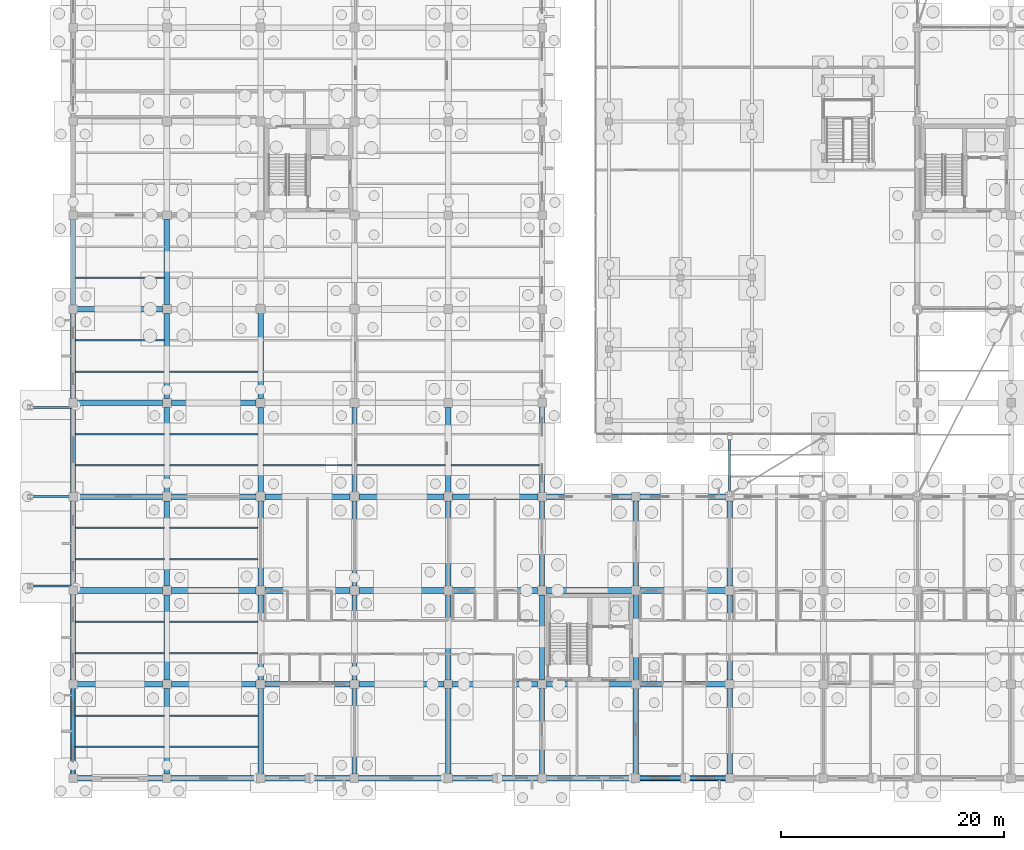
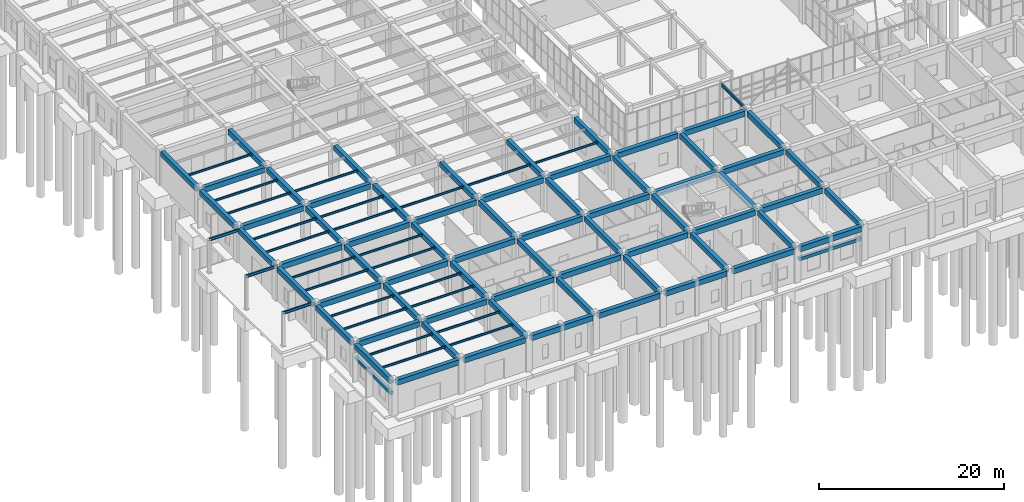
# One storey, part 48 of 192: 95 beams.
"""IFC4 building model written with IfcOpenShell, lengths in metres."""

from ifc_helpers import new_model, si_unit, direction, frame, origin, origin_2d, place, context, subcontext, project, spatial, rectangle, i_section, extrude, material, material_profile, profile_set, type_object, element, save


model = new_model("IFC4")

# Units and contexts
model_context = context("Model", 3, precision=1e-05, world=origin(), true_north=direction((0.0, 1.0)))
body_context = subcontext(model_context, "Body", "Model", "MODEL_VIEW")
ifc_project = project(units=[si_unit("LENGTHUNIT", "METRE"), si_unit("AREAUNIT", "SQUARE_METRE"), si_unit("VOLUMEUNIT", "CUBIC_METRE"), si_unit("PLANEANGLEUNIT", "RADIAN"), si_unit("MASSUNIT", "GRAM", prefix="KILO")], contexts=[model_context])

# Site, building, storey
site_placement = place(None, origin())
site = spatial("IfcSite", under=ifc_project, at=site_placement, CompositionType="ELEMENT")
building_placement = place(site_placement, origin())
building = spatial("IfcBuilding", under=site, at=building_placement, Name="Trelvath General Hospital", CompositionType="ELEMENT")
storey_placement = place(building_placement, origin())
storey = spatial("IfcBuildingStorey", under=building, at=storey_placement, Name="L00", CompositionType="ELEMENT", Elevation=0.0)

# Beams
ifc_material_1 = material(Name="Concrete C35/45", Category="concrete")
ifc_material_profile_1 = material_profile(ifc_material_1, rectangle(XDim=0.47998046875, YDim=0.679931640625, at=origin_2d()), Name="RCB480x680")
ifc_profile_set_1 = profile_set([ifc_material_profile_1], Name="Concrete C35/45")
beam_type_1 = type_object("IfcBeamType", Name="Beam RC480x680", PredefinedType="BEAM", material=ifc_profile_set_1)
beam_1_placement = place(storey_placement, frame((0.0, 0.375, 4.179931640625), z_axis=(0.0, 1.0, 0.0), x_axis=(-1.0, 0.0, 0.0)))
element("IfcBeam", 1, at=beam_1_placement, inside=storey, type_object=beam_type_1, Name="Grid Beam BY-000A", PredefinedType="BEAM", context=body_context, shape_type="SweptSolid", body=[
    extrude(rectangle(XDim=0.47998046875, YDim=0.679931640625, at=origin_2d()), origin(), (0.0, 0.0, 1.0), 7.64990234375),
])
beam_2_placement = place(storey_placement, frame((0.0, 8.77490234375, 4.179931640625), z_axis=(0.0, 1.0, 0.0), x_axis=(-1.0, 0.0, 0.0)))
element("IfcBeam", 2, at=beam_2_placement, inside=storey, type_object=beam_type_1, Name="Grid Beam BY-000B", PredefinedType="BEAM", context=body_context, shape_type="SweptSolid", body=[
    extrude(rectangle(XDim=0.47998046875, YDim=0.679931640625, at=origin_2d()), origin(), (0.0, 0.0, 1.0), 7.650146484375),
])
beam_3_placement = place(storey_placement, frame((0.0, 17.175048828125, 4.179931640625), z_axis=(0.0, 1.0, 0.0), x_axis=(-1.0, 0.0, 0.0)))
element("IfcBeam", 3, at=beam_3_placement, inside=storey, type_object=beam_type_1, Name="Grid Beam BY-000C", PredefinedType="BEAM", context=body_context, shape_type="SweptSolid", body=[
    extrude(rectangle(XDim=0.47998046875, YDim=0.679931640625, at=origin_2d()), origin(), (0.0, 0.0, 1.0), 7.64990234375),
])
beam_4_placement = place(storey_placement, frame((0.0, 25.574951171875, 4.179931640625), z_axis=(0.0, 1.0, 0.0), x_axis=(-1.0, 0.0, 0.0)))
element("IfcBeam", 4, at=beam_4_placement, inside=storey, type_object=beam_type_1, Name="Grid Beam BY-000D", PredefinedType="BEAM", context=body_context, shape_type="SweptSolid", body=[
    extrude(rectangle(XDim=0.47998046875, YDim=0.679931640625, at=origin_2d()), origin(), (0.0, 0.0, 1.0), 7.650146484375),
])
for number, where, z_axis, x_axis, name in (
    (5, (0.0, 33.97509765625, 4.179931640625), (0.0, 1.0, 0.0), (-1.0, 0.0, 0.0), "Grid Beam BY-000E"),
    (6, (0.0, 42.375, 4.179931640625), (0.0, 1.0, 0.0), (-1.0, 0.0, 0.0), "Grid Beam BY-000F"),
):
    element("IfcBeam", number, at=place(storey_placement, frame(where, z_axis=z_axis, x_axis=x_axis)), inside=storey, type_object=beam_type_1, Name=name, PredefinedType="BEAM", context=body_context, shape_type="SweptSolid", body=[
        extrude(rectangle(XDim=0.47998046875, YDim=0.679931640625, at=origin_2d()), origin(), (0.0, 0.0, 1.0), 7.64990234375),
    ])
beam_5_placement = place(storey_placement, frame((8.39990234375, 0.375, 4.179931640625), z_axis=(0.0, 1.0, 0.0), x_axis=(-1.0, 0.0, 0.0)))
element("IfcBeam", 7, at=beam_5_placement, inside=storey, type_object=beam_type_1, Name="Grid Beam BY-001A", PredefinedType="BEAM", context=body_context, shape_type="SweptSolid", body=[
    extrude(rectangle(XDim=0.47998046875, YDim=0.679931640625, at=origin_2d()), origin(), (0.0, 0.0, 1.0), 7.6298828125),
])
beam_6_placement = place(storey_placement, frame((8.39990234375, 8.794921875, 4.179931640625), z_axis=(0.0, 1.0, 0.0), x_axis=(-1.0, 0.0, 0.0)))
element("IfcBeam", 8, at=beam_6_placement, inside=storey, type_object=beam_type_1, Name="Grid Beam BY-001B", PredefinedType="BEAM", context=body_context, shape_type="SweptSolid", body=[
    extrude(rectangle(XDim=0.47998046875, YDim=0.679931640625, at=origin_2d()), origin(), (0.0, 0.0, 1.0), 7.610107421875),
])
beam_7_placement = place(storey_placement, frame((8.39990234375, 17.195068359375, 4.179931640625), z_axis=(0.0, 1.0, 0.0), x_axis=(-1.0, 0.0, 0.0)))
element("IfcBeam", 9, at=beam_7_placement, inside=storey, type_object=beam_type_1, Name="Grid Beam BY-001C", PredefinedType="BEAM", context=body_context, shape_type="SweptSolid", body=[
    extrude(rectangle(XDim=0.47998046875, YDim=0.679931640625, at=origin_2d()), origin(), (0.0, 0.0, 1.0), 7.60986328125),
])
beam_8_placement = place(storey_placement, frame((8.39990234375, 25.594970703125, 4.179931640625), z_axis=(0.0, 1.0, 0.0), x_axis=(-1.0, 0.0, 0.0)))
element("IfcBeam", 10, at=beam_8_placement, inside=storey, type_object=beam_type_1, Name="Grid Beam BY-001D", PredefinedType="BEAM", context=body_context, shape_type="SweptSolid", body=[
    extrude(rectangle(XDim=0.47998046875, YDim=0.679931640625, at=origin_2d()), origin(), (0.0, 0.0, 1.0), 7.610107421875),
])
for number, where, z_axis, x_axis, name in (
    (11, (8.39990234375, 33.9951171875, 4.179931640625), (0.0, 1.0, 0.0), (-1.0, 0.0, 0.0), "Grid Beam BY-001E"),
    (12, (8.39990234375, 42.39501953125, 4.179931640625), (0.0, 1.0, 0.0), (-1.0, 0.0, 0.0), "Grid Beam BY-001F"),
):
    element("IfcBeam", number, at=place(storey_placement, frame(where, z_axis=z_axis, x_axis=x_axis)), inside=storey, type_object=beam_type_1, Name=name, PredefinedType="BEAM", context=body_context, shape_type="SweptSolid", body=[
        extrude(rectangle(XDim=0.47998046875, YDim=0.679931640625, at=origin_2d()), origin(), (0.0, 0.0, 1.0), 7.60986328125),
    ])
beam_9_placement = place(storey_placement, frame((16.800048828125, 0.375, 4.179931640625), z_axis=(0.0, 1.0, 0.0), x_axis=(-1.0, 0.0, 0.0)))
element("IfcBeam", 13, at=beam_9_placement, inside=storey, type_object=beam_type_1, Name="Grid Beam BY-002A", PredefinedType="BEAM", context=body_context, shape_type="SweptSolid", body=[
    extrude(rectangle(XDim=0.47998046875, YDim=0.679931640625, at=origin_2d()), origin(), (0.0, 0.0, 1.0), 7.6298828125),
])
beam_10_placement = place(storey_placement, frame((16.800048828125, 8.794921875, 4.179931640625), z_axis=(0.0, 1.0, 0.0), x_axis=(-1.0, 0.0, 0.0)))
element("IfcBeam", 14, at=beam_10_placement, inside=storey, type_object=beam_type_1, Name="Grid Beam BY-002B", PredefinedType="BEAM", context=body_context, shape_type="SweptSolid", body=[
    extrude(rectangle(XDim=0.47998046875, YDim=0.679931640625, at=origin_2d()), origin(), (0.0, 0.0, 1.0), 7.610107421875),
])
beam_11_placement = place(storey_placement, frame((16.800048828125, 17.195068359375, 4.179931640625), z_axis=(0.0, 1.0, 0.0), x_axis=(-1.0, 0.0, 0.0)))
element("IfcBeam", 15, at=beam_11_placement, inside=storey, type_object=beam_type_1, Name="Grid Beam BY-002C", PredefinedType="BEAM", context=body_context, shape_type="SweptSolid", body=[
    extrude(rectangle(XDim=0.47998046875, YDim=0.679931640625, at=origin_2d()), origin(), (0.0, 0.0, 1.0), 7.60986328125),
])
beam_12_placement = place(storey_placement, frame((16.800048828125, 25.594970703125, 4.179931640625), z_axis=(0.0, 1.0, 0.0), x_axis=(-1.0, 0.0, 0.0)))
element("IfcBeam", 16, at=beam_12_placement, inside=storey, type_object=beam_type_1, Name="Grid Beam BY-002D", PredefinedType="BEAM", context=body_context, shape_type="SweptSolid", body=[
    extrude(rectangle(XDim=0.47998046875, YDim=0.679931640625, at=origin_2d()), origin(), (0.0, 0.0, 1.0), 7.610107421875),
])
beam_13_placement = place(storey_placement, frame((16.800048828125, 33.9951171875, 4.179931640625), z_axis=(0.0, 1.0, 0.0), x_axis=(-1.0, 0.0, 0.0)))
element("IfcBeam", 17, at=beam_13_placement, inside=storey, type_object=beam_type_1, Name="Grid Beam BY-002E", PredefinedType="BEAM", context=body_context, shape_type="SweptSolid", body=[
    extrude(rectangle(XDim=0.47998046875, YDim=0.679931640625, at=origin_2d()), origin(), (0.0, 0.0, 1.0), 7.60986328125),
])
beam_14_placement = place(storey_placement, frame((25.199951171875, 0.375, 4.179931640625), z_axis=(0.0, 1.0, 0.0), x_axis=(-1.0, 0.0, 0.0)))
element("IfcBeam", 18, at=beam_14_placement, inside=storey, type_object=beam_type_1, Name="Grid Beam BY-003A", PredefinedType="BEAM", context=body_context, shape_type="SweptSolid", body=[
    extrude(rectangle(XDim=0.47998046875, YDim=0.679931640625, at=origin_2d()), origin(), (0.0, 0.0, 1.0), 7.6298828125),
])
beam_15_placement = place(storey_placement, frame((25.199951171875, 8.794921875, 4.179931640625), z_axis=(0.0, 1.0, 0.0), x_axis=(-1.0, 0.0, 0.0)))
element("IfcBeam", 19, at=beam_15_placement, inside=storey, type_object=beam_type_1, Name="Grid Beam BY-003B", PredefinedType="BEAM", context=body_context, shape_type="SweptSolid", body=[
    extrude(rectangle(XDim=0.47998046875, YDim=0.679931640625, at=origin_2d()), origin(), (0.0, 0.0, 1.0), 7.610107421875),
])
beam_16_placement = place(storey_placement, frame((25.199951171875, 17.195068359375, 4.179931640625), z_axis=(0.0, 1.0, 0.0), x_axis=(-1.0, 0.0, 0.0)))
element("IfcBeam", 20, at=beam_16_placement, inside=storey, type_object=beam_type_1, Name="Grid Beam BY-003C", PredefinedType="BEAM", context=body_context, shape_type="SweptSolid", body=[
    extrude(rectangle(XDim=0.47998046875, YDim=0.679931640625, at=origin_2d()), origin(), (0.0, 0.0, 1.0), 7.60986328125),
])
beam_17_placement = place(storey_placement, frame((25.199951171875, 25.594970703125, 4.179931640625), z_axis=(0.0, 1.0, 0.0), x_axis=(-1.0, 0.0, 0.0)))
element("IfcBeam", 21, at=beam_17_placement, inside=storey, type_object=beam_type_1, Name="Grid Beam BY-003D", PredefinedType="BEAM", context=body_context, shape_type="SweptSolid", body=[
    extrude(rectangle(XDim=0.47998046875, YDim=0.679931640625, at=origin_2d()), origin(), (0.0, 0.0, 1.0), 7.610107421875),
])
beam_18_placement = place(storey_placement, frame((33.60009765625, 0.375, 4.179931640625), z_axis=(0.0, 1.0, 0.0), x_axis=(-1.0, 0.0, 0.0)))
element("IfcBeam", 22, at=beam_18_placement, inside=storey, type_object=beam_type_1, Name="Grid Beam BY-004A", PredefinedType="BEAM", context=body_context, shape_type="SweptSolid", body=[
    extrude(rectangle(XDim=0.47998046875, YDim=0.679931640625, at=origin_2d()), origin(), (0.0, 0.0, 1.0), 7.6298828125),
])
beam_19_placement = place(storey_placement, frame((33.60009765625, 8.794921875, 4.179931640625), z_axis=(0.0, 1.0, 0.0), x_axis=(-1.0, 0.0, 0.0)))
element("IfcBeam", 23, at=beam_19_placement, inside=storey, type_object=beam_type_1, Name="Grid Beam BY-004B", PredefinedType="BEAM", context=body_context, shape_type="SweptSolid", body=[
    extrude(rectangle(XDim=0.47998046875, YDim=0.679931640625, at=origin_2d()), origin(), (0.0, 0.0, 1.0), 7.610107421875),
])
beam_20_placement = place(storey_placement, frame((33.60009765625, 17.195068359375, 4.179931640625), z_axis=(0.0, 1.0, 0.0), x_axis=(-1.0, 0.0, 0.0)))
element("IfcBeam", 24, at=beam_20_placement, inside=storey, type_object=beam_type_1, Name="Grid Beam BY-004C", PredefinedType="BEAM", context=body_context, shape_type="SweptSolid", body=[
    extrude(rectangle(XDim=0.47998046875, YDim=0.679931640625, at=origin_2d()), origin(), (0.0, 0.0, 1.0), 7.60986328125),
])
beam_21_placement = place(storey_placement, frame((33.60009765625, 25.594970703125, 4.179931640625), z_axis=(0.0, 1.0, 0.0), x_axis=(-1.0, 0.0, 0.0)))
element("IfcBeam", 25, at=beam_21_placement, inside=storey, type_object=beam_type_1, Name="Grid Beam BY-004D", PredefinedType="BEAM", context=body_context, shape_type="SweptSolid", body=[
    extrude(rectangle(XDim=0.47998046875, YDim=0.679931640625, at=origin_2d()), origin(), (0.0, 0.0, 1.0), 7.610107421875),
])
beam_22_placement = place(storey_placement, frame((42.0, 0.375, 4.179931640625), z_axis=(0.0, 1.0, 0.0), x_axis=(-1.0, 0.0, 0.0)))
element("IfcBeam", 26, at=beam_22_placement, inside=storey, type_object=beam_type_1, Name="Grid Beam BY-005A", PredefinedType="BEAM", context=body_context, shape_type="SweptSolid", body=[
    extrude(rectangle(XDim=0.47998046875, YDim=0.679931640625, at=origin_2d()), origin(), (0.0, 0.0, 1.0), 7.6298828125),
])
beam_23_placement = place(storey_placement, frame((42.0, 8.794921875, 4.179931640625), z_axis=(0.0, 1.0, 0.0), x_axis=(-1.0, 0.0, 0.0)))
element("IfcBeam", 27, at=beam_23_placement, inside=storey, type_object=beam_type_1, Name="Grid Beam BY-005B", PredefinedType="BEAM", context=body_context, shape_type="SweptSolid", body=[
    extrude(rectangle(XDim=0.47998046875, YDim=0.679931640625, at=origin_2d()), origin(), (0.0, 0.0, 1.0), 7.610107421875),
])
beam_24_placement = place(storey_placement, frame((42.0, 17.195068359375, 4.179931640625), z_axis=(0.0, 1.0, 0.0), x_axis=(-1.0, 0.0, 0.0)))
element("IfcBeam", 28, at=beam_24_placement, inside=storey, type_object=beam_type_1, Name="Grid Beam BY-005C", PredefinedType="BEAM", context=body_context, shape_type="SweptSolid", body=[
    extrude(rectangle(XDim=0.47998046875, YDim=0.679931640625, at=origin_2d()), origin(), (0.0, 0.0, 1.0), 7.6298828125),
])
beam_25_placement = place(storey_placement, frame((42.0, 25.574951171875, 4.179931640625), z_axis=(0.0, 1.0, 0.0), x_axis=(-1.0, 0.0, 0.0)))
element("IfcBeam", 29, at=beam_25_placement, inside=storey, type_object=beam_type_1, Name="Grid Beam BY-005D", PredefinedType="BEAM", context=body_context, shape_type="SweptSolid", body=[
    extrude(rectangle(XDim=0.47998046875, YDim=0.679931640625, at=origin_2d()), origin(), (0.0, 0.0, 1.0), 7.650146484375),
])
beam_26_placement = place(storey_placement, frame((50.39990234375, 0.375, 4.179931640625), z_axis=(0.0, 1.0, 0.0), x_axis=(-1.0, 0.0, 0.0)))
element("IfcBeam", 30, at=beam_26_placement, inside=storey, type_object=beam_type_1, Name="Grid Beam BY-006A", PredefinedType="BEAM", context=body_context, shape_type="SweptSolid", body=[
    extrude(rectangle(XDim=0.47998046875, YDim=0.679931640625, at=origin_2d()), origin(), (0.0, 0.0, 1.0), 7.6298828125),
])
beam_27_placement = place(storey_placement, frame((50.39990234375, 8.794921875, 4.179931640625), z_axis=(0.0, 1.0, 0.0), x_axis=(-1.0, 0.0, 0.0)))
element("IfcBeam", 31, at=beam_27_placement, inside=storey, type_object=beam_type_1, Name="Grid Beam BY-006B", PredefinedType="BEAM", context=body_context, shape_type="SweptSolid", body=[
    extrude(rectangle(XDim=0.47998046875, YDim=0.679931640625, at=origin_2d()), origin(), (0.0, 0.0, 1.0), 7.610107421875),
])
for number, where, z_axis, x_axis, name in (
    (32, (50.39990234375, 17.195068359375, 4.179931640625), (0.0, 1.0, 0.0), (-1.0, 0.0, 0.0), "Grid Beam BY-006C"),
    (33, (58.800048828125, 0.375, 4.179931640625), (0.0, 1.0, 0.0), (-1.0, 0.0, 0.0), "Grid Beam BY-007A"),
):
    element("IfcBeam", number, at=place(storey_placement, frame(where, z_axis=z_axis, x_axis=x_axis)), inside=storey, type_object=beam_type_1, Name=name, PredefinedType="BEAM", context=body_context, shape_type="SweptSolid", body=[
        extrude(rectangle(XDim=0.47998046875, YDim=0.679931640625, at=origin_2d()), origin(), (0.0, 0.0, 1.0), 7.6298828125),
    ])
beam_28_placement = place(storey_placement, frame((58.800048828125, 8.794921875, 4.179931640625), z_axis=(0.0, 1.0, 0.0), x_axis=(-1.0, 0.0, 0.0)))
element("IfcBeam", 34, at=beam_28_placement, inside=storey, type_object=beam_type_1, Name="Grid Beam BY-007B", PredefinedType="BEAM", context=body_context, shape_type="SweptSolid", body=[
    extrude(rectangle(XDim=0.47998046875, YDim=0.679931640625, at=origin_2d()), origin(), (0.0, 0.0, 1.0), 7.610107421875),
])
beam_29_placement = place(storey_placement, frame((58.800048828125, 17.195068359375, 4.179931640625), z_axis=(0.0, 1.0, 0.0), x_axis=(-1.0, 0.0, 0.0)))
element("IfcBeam", 35, at=beam_29_placement, inside=storey, type_object=beam_type_1, Name="Grid Beam BY-007C", PredefinedType="BEAM", context=body_context, shape_type="SweptSolid", body=[
    extrude(rectangle(XDim=0.47998046875, YDim=0.679931640625, at=origin_2d()), origin(), (0.0, 0.0, 1.0), 7.6298828125),
])
ifc_material_2 = material(Name="Concrete C35/45", Category="concrete")
ifc_material_profile_2 = material_profile(ifc_material_2, rectangle(XDim=0.5, YDim=0.699951171875, at=origin_2d()), Name="RCB500x700")
ifc_profile_set_2 = profile_set([ifc_material_profile_2], Name="Concrete C35/45")
beam_type_2 = type_object("IfcBeamType", Name="Beam RC500x700", PredefinedType="BEAM", material=ifc_profile_set_2)
beam_30_placement = place(storey_placement, frame((0.375, 0.0, 4.169921875), z_axis=(1.0, 0.0, 0.0), x_axis=(0.0, 1.0, 0.0)))
element("IfcBeam", 36, at=beam_30_placement, inside=storey, type_object=beam_type_2, Name="Grid Beam BX-000A", PredefinedType="BEAM", context=body_context, shape_type="SweptSolid", body=[
    extrude(rectangle(XDim=0.5, YDim=0.699951171875, at=origin_2d()), origin(), (0.0, 0.0, 1.0), 7.64990234375),
])
for number, where, z_axis, x_axis, name in (
    (37, (0.375, 8.39990234375, 4.169921875), (1.0, 0.0, 0.0), (0.0, 1.0, 0.0), "Grid Beam BX-000B"),
    (38, (0.375, 16.800048828125, 4.169921875), (1.0, 0.0, 0.0), (0.0, 1.0, 0.0), "Grid Beam BX-000C"),
    (39, (0.375, 25.199951171875, 4.169921875), (1.0, 0.0, 0.0), (0.0, 1.0, 0.0), "Grid Beam BX-000D"),
    (40, (0.375, 33.60009765625, 4.169921875), (1.0, 0.0, 0.0), (0.0, 1.0, 0.0), "Grid Beam BX-000E"),
    (41, (0.375, 42.0, 4.169921875), (1.0, 0.0, 0.0), (0.0, 1.0, 0.0), "Grid Beam BX-000F"),
):
    element("IfcBeam", number, at=place(storey_placement, frame(where, z_axis=z_axis, x_axis=x_axis)), inside=storey, type_object=beam_type_2, Name=name, PredefinedType="BEAM", context=body_context, shape_type="SweptSolid", body=[
        extrude(rectangle(XDim=0.5, YDim=0.699951171875, at=origin_2d()), origin(), (0.0, 0.0, 1.0), 7.6298828125),
    ])
beam_31_placement = place(storey_placement, frame((8.77490234375, 0.0, 4.169921875), z_axis=(1.0, 0.0, 0.0), x_axis=(0.0, 1.0, 0.0)))
element("IfcBeam", 42, at=beam_31_placement, inside=storey, type_object=beam_type_2, Name="Grid Beam BX-001A", PredefinedType="BEAM", context=body_context, shape_type="SweptSolid", body=[
    extrude(rectangle(XDim=0.5, YDim=0.699951171875, at=origin_2d()), origin(), (0.0, 0.0, 1.0), 7.650146484375),
])
for number, where, z_axis, x_axis, name in (
    (43, (8.794921875, 8.39990234375, 4.169921875), (1.0, 0.0, 0.0), (0.0, 1.0, 0.0), "Grid Beam BX-001B"),
    (44, (8.794921875, 16.800048828125, 4.169921875), (1.0, 0.0, 0.0), (0.0, 1.0, 0.0), "Grid Beam BX-001C"),
    (45, (8.794921875, 25.199951171875, 4.169921875), (1.0, 0.0, 0.0), (0.0, 1.0, 0.0), "Grid Beam BX-001D"),
    (46, (8.794921875, 33.60009765625, 4.169921875), (1.0, 0.0, 0.0), (0.0, 1.0, 0.0), "Grid Beam BX-001E"),
):
    element("IfcBeam", number, at=place(storey_placement, frame(where, z_axis=z_axis, x_axis=x_axis)), inside=storey, type_object=beam_type_2, Name=name, PredefinedType="BEAM", context=body_context, shape_type="SweptSolid", body=[
        extrude(rectangle(XDim=0.5, YDim=0.699951171875, at=origin_2d()), origin(), (0.0, 0.0, 1.0), 7.610107421875),
    ])
beam_32_placement = place(storey_placement, frame((17.175048828125, 0.0, 4.169921875), z_axis=(1.0, 0.0, 0.0), x_axis=(0.0, 1.0, 0.0)))
element("IfcBeam", 47, at=beam_32_placement, inside=storey, type_object=beam_type_2, Name="Grid Beam BX-002A", PredefinedType="BEAM", context=body_context, shape_type="SweptSolid", body=[
    extrude(rectangle(XDim=0.5, YDim=0.699951171875, at=origin_2d()), origin(), (0.0, 0.0, 1.0), 7.64990234375),
])
for number, where, z_axis, x_axis, name in (
    (48, (17.195068359375, 8.39990234375, 4.169921875), (1.0, 0.0, 0.0), (0.0, 1.0, 0.0), "Grid Beam BX-002B"),
    (49, (17.195068359375, 16.800048828125, 4.169921875), (1.0, 0.0, 0.0), (0.0, 1.0, 0.0), "Grid Beam BX-002C"),
    (50, (17.195068359375, 25.199951171875, 4.169921875), (1.0, 0.0, 0.0), (0.0, 1.0, 0.0), "Grid Beam BX-002D"),
):
    element("IfcBeam", number, at=place(storey_placement, frame(where, z_axis=z_axis, x_axis=x_axis)), inside=storey, type_object=beam_type_2, Name=name, PredefinedType="BEAM", context=body_context, shape_type="SweptSolid", body=[
        extrude(rectangle(XDim=0.5, YDim=0.699951171875, at=origin_2d()), origin(), (0.0, 0.0, 1.0), 7.60986328125),
    ])
beam_33_placement = place(storey_placement, frame((25.574951171875, 0.0, 4.169921875), z_axis=(1.0, 0.0, 0.0), x_axis=(0.0, 1.0, 0.0)))
element("IfcBeam", 51, at=beam_33_placement, inside=storey, type_object=beam_type_2, Name="Grid Beam BX-003A", PredefinedType="BEAM", context=body_context, shape_type="SweptSolid", body=[
    extrude(rectangle(XDim=0.5, YDim=0.699951171875, at=origin_2d()), origin(), (0.0, 0.0, 1.0), 7.650146484375),
])
for number, where, z_axis, x_axis, name in (
    (52, (25.594970703125, 8.39990234375, 4.169921875), (1.0, 0.0, 0.0), (0.0, 1.0, 0.0), "Grid Beam BX-003B"),
    (53, (25.594970703125, 16.800048828125, 4.169921875), (1.0, 0.0, 0.0), (0.0, 1.0, 0.0), "Grid Beam BX-003C"),
    (54, (25.594970703125, 25.199951171875, 4.169921875), (1.0, 0.0, 0.0), (0.0, 1.0, 0.0), "Grid Beam BX-003D"),
):
    element("IfcBeam", number, at=place(storey_placement, frame(where, z_axis=z_axis, x_axis=x_axis)), inside=storey, type_object=beam_type_2, Name=name, PredefinedType="BEAM", context=body_context, shape_type="SweptSolid", body=[
        extrude(rectangle(XDim=0.5, YDim=0.699951171875, at=origin_2d()), origin(), (0.0, 0.0, 1.0), 7.610107421875),
    ])
beam_34_placement = place(storey_placement, frame((33.97509765625, 0.0, 4.169921875), z_axis=(1.0, 0.0, 0.0), x_axis=(0.0, 1.0, 0.0)))
element("IfcBeam", 55, at=beam_34_placement, inside=storey, type_object=beam_type_2, Name="Grid Beam BX-004A", PredefinedType="BEAM", context=body_context, shape_type="SweptSolid", body=[
    extrude(rectangle(XDim=0.5, YDim=0.699951171875, at=origin_2d()), origin(), (0.0, 0.0, 1.0), 7.64990234375),
])
for number, where, z_axis, x_axis, name in (
    (56, (33.9951171875, 8.39990234375, 4.169921875), (1.0, 0.0, 0.0), (0.0, 1.0, 0.0), "Grid Beam BX-004B"),
    (57, (33.9951171875, 16.800048828125, 4.169921875), (1.0, 0.0, 0.0), (0.0, 1.0, 0.0), "Grid Beam BX-004C"),
):
    element("IfcBeam", number, at=place(storey_placement, frame(where, z_axis=z_axis, x_axis=x_axis)), inside=storey, type_object=beam_type_2, Name=name, PredefinedType="BEAM", context=body_context, shape_type="SweptSolid", body=[
        extrude(rectangle(XDim=0.5, YDim=0.699951171875, at=origin_2d()), origin(), (0.0, 0.0, 1.0), 7.60986328125),
    ])
beam_35_placement = place(storey_placement, frame((33.9951171875, 25.199951171875, 4.169921875), z_axis=(1.0, 0.0, 0.0), x_axis=(0.0, 1.0, 0.0)))
element("IfcBeam", 58, at=beam_35_placement, inside=storey, type_object=beam_type_2, Name="Grid Beam BX-004D", PredefinedType="BEAM", context=body_context, shape_type="SweptSolid", body=[
    extrude(rectangle(XDim=0.5, YDim=0.699951171875, at=origin_2d()), origin(), (0.0, 0.0, 1.0), 7.6298828125),
])
beam_36_placement = place(storey_placement, frame((42.375, 0.0, 4.169921875), z_axis=(1.0, 0.0, 0.0), x_axis=(0.0, 1.0, 0.0)))
element("IfcBeam", 59, at=beam_36_placement, inside=storey, type_object=beam_type_2, Name="Grid Beam BX-005A", PredefinedType="BEAM", context=body_context, shape_type="SweptSolid", body=[
    extrude(rectangle(XDim=0.5, YDim=0.699951171875, at=origin_2d()), origin(), (0.0, 0.0, 1.0), 7.64990234375),
])
for number, where, z_axis, x_axis, name in (
    (60, (42.39501953125, 8.39990234375, 4.169921875), (1.0, 0.0, 0.0), (0.0, 1.0, 0.0), "Grid Beam BX-005B"),
    (61, (42.39501953125, 16.800048828125, 4.169921875), (1.0, 0.0, 0.0), (0.0, 1.0, 0.0), "Grid Beam BX-005C"),
):
    element("IfcBeam", number, at=place(storey_placement, frame(where, z_axis=z_axis, x_axis=x_axis)), inside=storey, type_object=beam_type_2, Name=name, PredefinedType="BEAM", context=body_context, shape_type="SweptSolid", body=[
        extrude(rectangle(XDim=0.5, YDim=0.699951171875, at=origin_2d()), origin(), (0.0, 0.0, 1.0), 7.60986328125),
    ])
beam_37_placement = place(storey_placement, frame((42.375, 25.199951171875, 4.169921875), z_axis=(1.0, 0.0, 0.0), x_axis=(0.0, 1.0, 0.0)))
element("IfcBeam", 62, at=beam_37_placement, inside=storey, type_object=beam_type_2, Name="Grid Beam BX-005D", PredefinedType="BEAM", context=body_context, shape_type="SweptSolid", body=[
    extrude(rectangle(XDim=0.5, YDim=0.699951171875, at=origin_2d()), origin(), (0.0, 0.0, 1.0), 7.64990234375),
])
beam_38_placement = place(storey_placement, frame((50.77490234375, 0.0, 4.169921875), z_axis=(1.0, 0.0, 0.0), x_axis=(0.0, 1.0, 0.0)))
element("IfcBeam", 63, at=beam_38_placement, inside=storey, type_object=beam_type_2, Name="Grid Beam BX-006A", PredefinedType="BEAM", context=body_context, shape_type="SweptSolid", body=[
    extrude(rectangle(XDim=0.5, YDim=0.699951171875, at=origin_2d()), origin(), (0.0, 0.0, 1.0), 7.650146484375),
])
for number, where, z_axis, x_axis, name in (
    (64, (50.794921875, 8.39990234375, 4.169921875), (1.0, 0.0, 0.0), (0.0, 1.0, 0.0), "Grid Beam BX-006B"),
    (65, (50.794921875, 16.800048828125, 4.169921875), (1.0, 0.0, 0.0), (0.0, 1.0, 0.0), "Grid Beam BX-006C"),
):
    element("IfcBeam", number, at=place(storey_placement, frame(where, z_axis=z_axis, x_axis=x_axis)), inside=storey, type_object=beam_type_2, Name=name, PredefinedType="BEAM", context=body_context, shape_type="SweptSolid", body=[
        extrude(rectangle(XDim=0.5, YDim=0.699951171875, at=origin_2d()), origin(), (0.0, 0.0, 1.0), 7.610107421875),
    ])
beam_39_placement = place(storey_placement, frame((50.77490234375, 25.199951171875, 4.169921875), z_axis=(1.0, 0.0, 0.0), x_axis=(0.0, 1.0, 0.0)))
element("IfcBeam", 66, at=beam_39_placement, inside=storey, type_object=beam_type_2, Name="Grid Beam BX-006D", PredefinedType="BEAM", context=body_context, shape_type="SweptSolid", body=[
    extrude(rectangle(XDim=0.5, YDim=0.699951171875, at=origin_2d()), origin(), (0.0, 0.0, 1.0), 7.650146484375),
])
ifc_material_3 = material(Name="Steel S355", Category="steel")
ifc_material_profile_3 = material_profile(ifc_material_3, i_section(OverallWidth=0.179931640625, OverallDepth=0.39990234375, WebThickness=0.008544921875, FlangeThickness=0.013427734375, at=origin_2d()), Name="IPE400")
ifc_profile_set_3 = profile_set([ifc_material_profile_3], Name="Steel S355")
beam_type_3 = type_object("IfcBeamType", Name="BridgeGirder IPE400", PredefinedType="BEAM", material=ifc_profile_set_3)
beam_40_placement = place(storey_placement, frame((58.800048828125, 25.239990234375, 4.409912109375), z_axis=(0.0, 1.0, 0.0), x_axis=(-1.0, 0.0, 0.0)))
element("IfcBeam", 67, at=beam_40_placement, inside=storey, type_object=beam_type_3, Name="Bridge Girder BRG-S-W W L01", PredefinedType="BEAM", context=body_context, shape_type="SweptSolid", body=[
    extrude(i_section(OverallWidth=0.179931640625, OverallDepth=0.39990234375, WebThickness=0.008544921875, FlangeThickness=0.013427734375, at=origin_2d()), origin(), (0.0, 0.0, 1.0), 5.52001953125),
])
ifc_material_4 = material(Name="Steel S355", Category="steel")
ifc_material_profile_4 = material_profile(ifc_material_4, i_section(OverallWidth=0.169921875, OverallDepth=0.360107421875, WebThickness=0.008056640625, FlangeThickness=0.0126953125, at=origin_2d()), Name="IPE360")
ifc_profile_set_4 = profile_set([ifc_material_profile_4], Name="Steel S355")
beam_type_4 = type_object("IfcBeamType", Name="CanopyBeam IPE360", PredefinedType="BEAM", material=ifc_profile_set_4)
for number, where, z_axis, x_axis, name in (
    (68, (-3.89990234375, 17.199951171875, 4.320068359375), (1.0, 0.0, 0.0), (0.0, 1.0, 0.0), "West Drop-Off Canopy Beam Y=17.2m"),
    (69, (-3.89990234375, 25.199951171875, 4.320068359375), (1.0, 0.0, 0.0), (0.0, 1.0, 0.0), "West Drop-Off Canopy Beam Y=25.2m"),
    (70, (-3.89990234375, 33.199951171875, 4.320068359375), (1.0, 0.0, 0.0), (0.0, 1.0, 0.0), "West Drop-Off Canopy Beam Y=33.2m"),
):
    element("IfcBeam", number, at=place(storey_placement, frame(where, z_axis=z_axis, x_axis=x_axis)), inside=storey, type_object=beam_type_4, Name=name, PredefinedType="BEAM", context=body_context, shape_type="SweptSolid", body=[
        extrude(i_section(OverallWidth=0.169921875, OverallDepth=0.360107421875, WebThickness=0.008056640625, FlangeThickness=0.0126953125, at=origin_2d()), origin(), (0.0, 0.0, 1.0), 4.0),
    ])
ifc_material_5 = material(Name="Steel S355", Category="steel")
ifc_material_profile_5 = material_profile(ifc_material_5, i_section(OverallWidth=0.135009765625, OverallDepth=0.27001953125, WebThickness=0.006591796875, FlangeThickness=0.01025390625, at=origin_2d()), Name="IPE270")
ifc_profile_set_5 = profile_set([ifc_material_profile_5], Name="Steel S355")
beam_type_5 = type_object("IfcBeamType", Name="InterstitialJoist IPE270", PredefinedType="JOIST", material=ifc_profile_set_5)
for number, where, z_axis, x_axis, name in (
    (71, (0.22998046875, 2.800048828125, 4.385009765625), (1.0, 0.0, 0.0), (0.0, 1.0, 0.0), "Interstitial Deck Joist IJ-1-001"),
    (72, (0.22998046875, 5.60009765625, 4.385009765625), (1.0, 0.0, 0.0), (0.0, 1.0, 0.0), "Interstitial Deck Joist IJ-1-002"),
    (73, (0.22998046875, 11.199951171875, 4.385009765625), (1.0, 0.0, 0.0), (0.0, 1.0, 0.0), "Interstitial Deck Joist IJ-1-003"),
    (74, (0.22998046875, 14.0, 4.385009765625), (1.0, 0.0, 0.0), (0.0, 1.0, 0.0), "Interstitial Deck Joist IJ-1-004"),
    (75, (0.22998046875, 19.60009765625, 4.385009765625), (1.0, 0.0, 0.0), (0.0, 1.0, 0.0), "Interstitial Deck Joist IJ-1-005"),
    (76, (0.22998046875, 22.39990234375, 4.385009765625), (1.0, 0.0, 0.0), (0.0, 1.0, 0.0), "Interstitial Deck Joist IJ-1-006"),
    (77, (0.22998046875, 28.0, 4.385009765625), (1.0, 0.0, 0.0), (0.0, 1.0, 0.0), "Interstitial Deck Joist IJ-1-007"),
    (78, (0.22998046875, 30.800048828125, 4.385009765625), (1.0, 0.0, 0.0), (0.0, 1.0, 0.0), "Interstitial Deck Joist IJ-1-008"),
    (79, (0.22998046875, 36.39990234375, 4.385009765625), (1.0, 0.0, 0.0), (0.0, 1.0, 0.0), "Interstitial Deck Joist IJ-1-009"),
    (80, (0.22998046875, 39.199951171875, 4.385009765625), (1.0, 0.0, 0.0), (0.0, 1.0, 0.0), "Interstitial Deck Joist IJ-1-010"),
    (81, (0.22998046875, 44.800048828125, 4.385009765625), (1.0, 0.0, 0.0), (0.0, 1.0, 0.0), "Interstitial Deck Joist IJ-1-011"),
):
    element("IfcBeam", number, at=place(storey_placement, frame(where, z_axis=z_axis, x_axis=x_axis)), inside=storey, type_object=beam_type_5, Name=name, PredefinedType="JOIST", context=body_context, shape_type="SweptSolid", body=[
        extrude(i_section(OverallWidth=0.135009765625, OverallDepth=0.27001953125, WebThickness=0.006591796875, FlangeThickness=0.01025390625, at=origin_2d()), origin(), (0.0, 0.0, 1.0), 7.93994140625),
    ])
for number, where, z_axis, x_axis, name in (
    (82, (8.6298828125, 2.800048828125, 4.385009765625), (1.0, 0.0, 0.0), (0.0, 1.0, 0.0), "Interstitial Deck Joist IJ-1-029"),
    (83, (8.6298828125, 5.60009765625, 4.385009765625), (1.0, 0.0, 0.0), (0.0, 1.0, 0.0), "Interstitial Deck Joist IJ-1-030"),
    (84, (8.6298828125, 11.199951171875, 4.385009765625), (1.0, 0.0, 0.0), (0.0, 1.0, 0.0), "Interstitial Deck Joist IJ-1-031"),
    (85, (8.6298828125, 14.0, 4.385009765625), (1.0, 0.0, 0.0), (0.0, 1.0, 0.0), "Interstitial Deck Joist IJ-1-032"),
    (86, (8.6298828125, 19.60009765625, 4.385009765625), (1.0, 0.0, 0.0), (0.0, 1.0, 0.0), "Interstitial Deck Joist IJ-1-033"),
    (87, (8.6298828125, 22.39990234375, 4.385009765625), (1.0, 0.0, 0.0), (0.0, 1.0, 0.0), "Interstitial Deck Joist IJ-1-034"),
    (88, (8.6298828125, 28.0, 4.385009765625), (1.0, 0.0, 0.0), (0.0, 1.0, 0.0), "Interstitial Deck Joist IJ-1-035"),
    (89, (8.6298828125, 30.800048828125, 4.385009765625), (1.0, 0.0, 0.0), (0.0, 1.0, 0.0), "Interstitial Deck Joist IJ-1-036"),
    (90, (8.6298828125, 36.39990234375, 4.385009765625), (1.0, 0.0, 0.0), (0.0, 1.0, 0.0), "Interstitial Deck Joist IJ-1-037"),
):
    element("IfcBeam", number, at=place(storey_placement, frame(where, z_axis=z_axis, x_axis=x_axis)), inside=storey, type_object=beam_type_5, Name=name, PredefinedType="JOIST", context=body_context, shape_type="SweptSolid", body=[
        extrude(i_section(OverallWidth=0.135009765625, OverallDepth=0.27001953125, WebThickness=0.006591796875, FlangeThickness=0.01025390625, at=origin_2d()), origin(), (0.0, 0.0, 1.0), 7.940185546875),
    ])
beam_41_placement = place(storey_placement, frame((17.030029296875, 28.0, 4.385009765625), z_axis=(1.0, 0.0, 0.0), x_axis=(0.0, 1.0, 0.0)))
element("IfcBeam", 91, at=beam_41_placement, inside=storey, type_object=beam_type_5, Name="Interstitial Deck Joist IJ-1-057", PredefinedType="JOIST", context=body_context, shape_type="SweptSolid", body=[
    extrude(i_section(OverallWidth=0.135009765625, OverallDepth=0.27001953125, WebThickness=0.006591796875, FlangeThickness=0.01025390625, at=origin_2d()), origin(), (0.0, 0.0, 1.0), 7.93994140625),
])
beam_42_placement = place(storey_placement, frame((25.429931640625, 28.0, 4.385009765625), z_axis=(1.0, 0.0, 0.0), x_axis=(0.0, 1.0, 0.0)))
element("IfcBeam", 92, at=beam_42_placement, inside=storey, type_object=beam_type_5, Name="Interstitial Deck Joist IJ-1-071", PredefinedType="JOIST", context=body_context, shape_type="SweptSolid", body=[
    extrude(i_section(OverallWidth=0.135009765625, OverallDepth=0.27001953125, WebThickness=0.006591796875, FlangeThickness=0.01025390625, at=origin_2d()), origin(), (0.0, 0.0, 1.0), 7.940185546875),
])
beam_43_placement = place(storey_placement, frame((33.830078125, 28.0, 4.385009765625), z_axis=(1.0, 0.0, 0.0), x_axis=(0.0, 1.0, 0.0)))
element("IfcBeam", 93, at=beam_43_placement, inside=storey, type_object=beam_type_5, Name="Interstitial Deck Joist IJ-1-087", PredefinedType="JOIST", context=body_context, shape_type="SweptSolid", body=[
    extrude(i_section(OverallWidth=0.135009765625, OverallDepth=0.27001953125, WebThickness=0.006591796875, FlangeThickness=0.01025390625, at=origin_2d()), origin(), (0.0, 0.0, 1.0), 7.93994140625),
])
ifc_material_6 = material(Name="Precast concrete C40/50", Category="concrete")
ifc_material_profile_6 = material_profile(ifc_material_6, rectangle(XDim=0.35009765625, YDim=0.419921875, at=origin_2d()), Name="PCL350x420")
ifc_profile_set_6 = profile_set([ifc_material_profile_6], Name="Precast concrete C40/50")
beam_type_6 = type_object("IfcBeamType", Name="Lintel PC350x420", PredefinedType="LINTEL", material=ifc_profile_set_6)
beam_44_placement = place(storey_placement, frame((0.0, 0.294921875, 2.6201171875), z_axis=(0.0, 1.0, 0.0), x_axis=(-1.0, 0.0, 0.0)))
element("IfcBeam", 94, at=beam_44_placement, inside=storey, type_object=beam_type_6, Name="Precast Window Brow Lintel L00-2", PredefinedType="LINTEL", context=body_context, shape_type="SweptSolid", body=[
    extrude(rectangle(XDim=0.35009765625, YDim=0.419921875, at=origin_2d()), origin(), (0.0, 0.0, 1.0), 7.81005859375),
])
beam_45_placement = place(storey_placement, frame((58.5048828125, 0.0, 2.820068359375), z_axis=(-1.0, 0.0, 0.0), x_axis=(0.0, -1.0, 0.0)))
element("IfcBeam", 95, at=beam_45_placement, inside=storey, type_object=beam_type_6, Name="Precast Window Brow Lintel L00-37", PredefinedType="LINTEL", context=body_context, shape_type="SweptSolid", body=[
    extrude(rectangle(XDim=0.35009765625, YDim=0.419921875, at=origin_2d()), origin(), (0.0, 0.0, 1.0), 7.809814453125),
])

save(model, "model.ifc")
